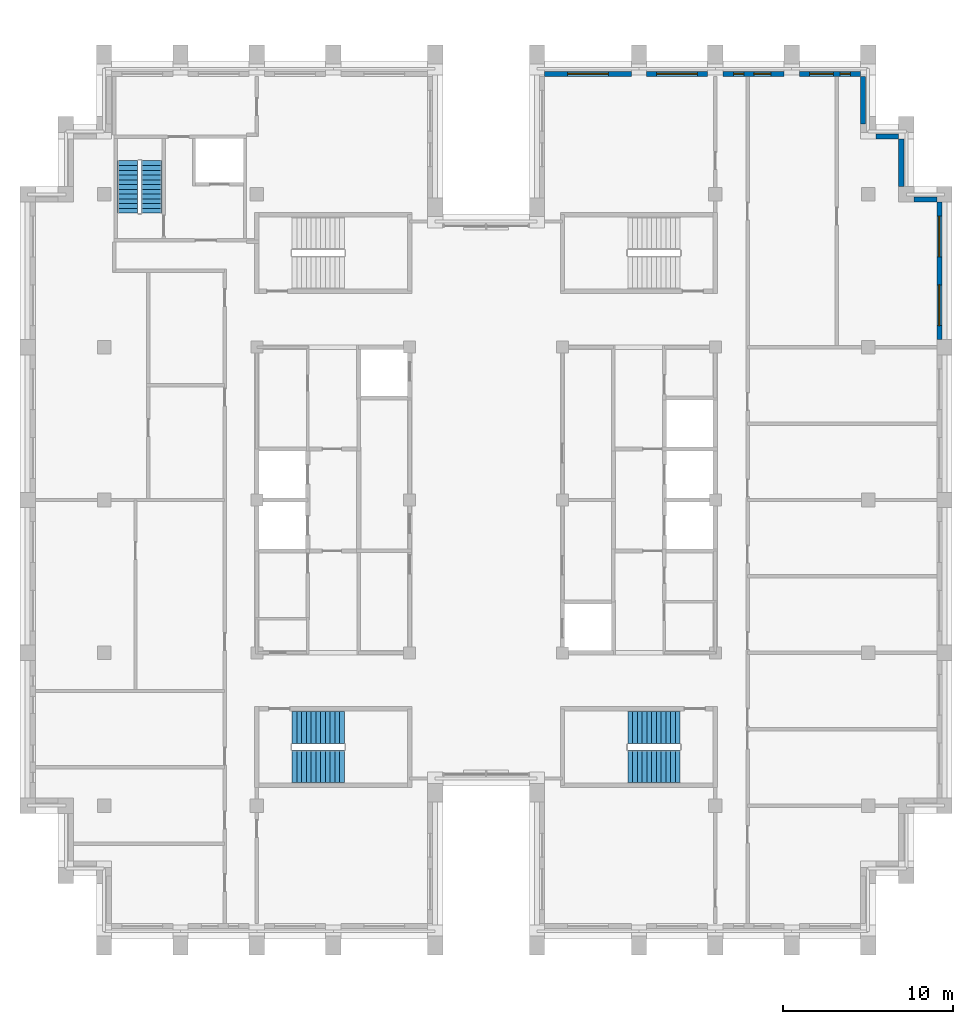
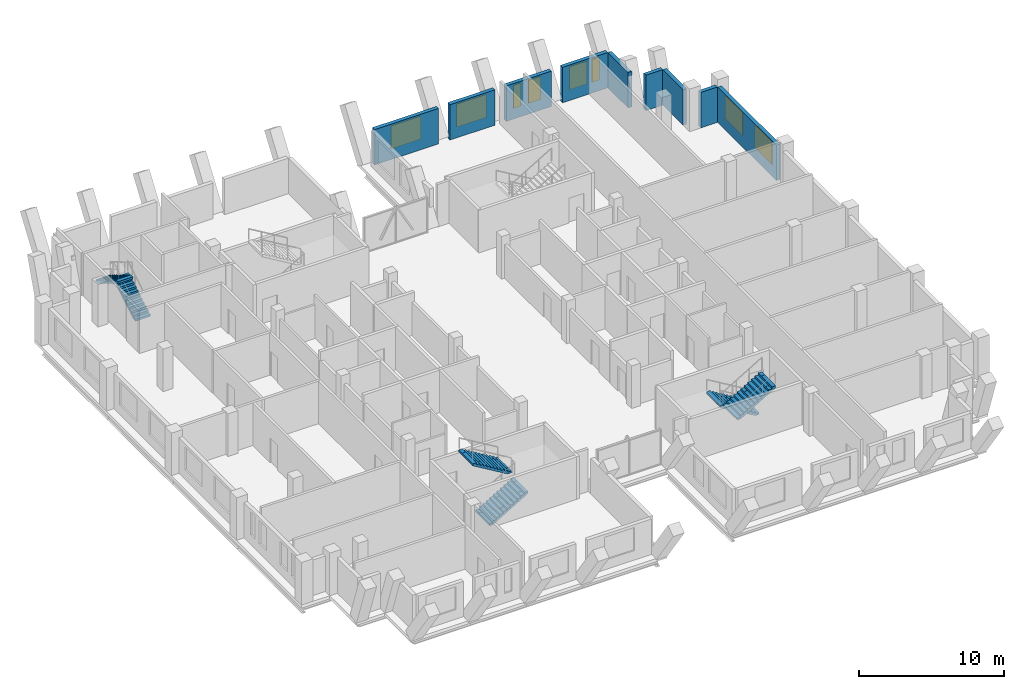
# One storey, part 11 of 13: 9 walls, 8 windows, 6 stair flights, 8 openings, 3 elements without a shape of their own.
"""IFC4 building model written with IfcOpenShell, lengths in metres."""

from ifc_helpers import new_model, si_unit, direction, frame, frame_2d, origin, place, context, subcontext, project, spatial, polyline, rectangle, outline, extrude, material, layer, layer_set, type_object, element, fill, aggregate, save


model = new_model("IFC4")

# Units and contexts
model_context = context("Model", 3, precision=1e-05, world=origin(), true_north=direction((0.0, 1.0)))
body_context = subcontext(model_context, "Body", "Model", "MODEL_VIEW")
ifc_project = project(units=[si_unit("LENGTHUNIT", "METRE"), si_unit("AREAUNIT", "SQUARE_METRE"), si_unit("VOLUMEUNIT", "CUBIC_METRE"), si_unit("PLANEANGLEUNIT", "RADIAN"), si_unit("MASSUNIT", "GRAM", prefix="KILO")], contexts=[model_context])

# Site, building, storey
site_placement = place(None, origin())
site = spatial("IfcSite", under=ifc_project, at=site_placement, CompositionType="ELEMENT")
building_placement = place(site_placement, origin())
building = spatial("IfcBuilding", under=site, at=building_placement, Name="Corbelhall Arena Tower", CompositionType="ELEMENT")
storey_placement = place(building_placement, frame((0.0, 0.0, 346.0)))
storey = spatial("IfcBuildingStorey", under=building, at=storey_placement, Name="L76", CompositionType="ELEMENT", Elevation=346.0)

# Wall, openings, windows
ifc_material_1 = material(Name="Precast concrete C40/50 with granite facing", Category="masonry")
ifc_layer = layer(ifc_material_1, 0.300048828125)
ifc_layer_set = layer_set([ifc_layer], Name="EV-IW1 Infill panel 300")
wall_type = type_object("IfcWallType", Name="EV-IW1 Infill panel 300", PredefinedType="SOLIDWALL", material=ifc_layer_set)
wall_1_placement = place(storey_placement, frame((26.699951171875, 9.449951171875, 0.0), z_axis=(0.0, 0.0, 1.0), x_axis=(0.0, 1.0, 0.0)))
wall_1 = element("IfcWall", 1, at=wall_1_placement, inside=storey, type_object=wall_type, Name="Infill panel IW1", PredefinedType="SOLIDWALL", context=body_context, shape_type="SweptSolid", body=[
    extrude(rectangle(XDim=8.10009765625, YDim=0.300048828125, at=frame_2d((4.050048828125, 0.0))), origin(), (0.0, 0.0, 1.0), 2.989990234375),
])
opening_1_placement = place(wall_1_placement, frame((0.824951171875, 0.0, 0.800048828125)))
opening_1 = element("IfcOpeningElement", 2, at=opening_1_placement, cuts=wall_1, Name="Opening WN1", PredefinedType="OPENING", context=body_context, shape_type="SweptSolid", body=[
    extrude(rectangle(XDim=2.39990234375, YDim=1.949951171875, at=frame_2d((1.199951171875, 0.97509765625))), frame((0.0, 0.14990234375, 0.0), z_axis=(0.0, -1.0, 0.0), x_axis=(1.0, 0.0, 0.0)), (0.0, 0.0, 1.0), 0.300048828125),
])
opening_2_placement = place(wall_1_placement, frame((4.875, 0.0, 0.800048828125)))
opening_2 = element("IfcOpeningElement", 3, at=opening_2_placement, cuts=wall_1, Name="Opening WN1", PredefinedType="OPENING", context=body_context, shape_type="SweptSolid", body=[
    extrude(rectangle(XDim=2.39990234375, YDim=1.949951171875, at=frame_2d((1.199951171875, 0.97509765625))), frame((0.0, 0.14990234375, 0.0), z_axis=(0.0, -1.0, 0.0), x_axis=(1.0, 0.0, 0.0)), (0.0, 0.0, 1.0), 0.300048828125),
])
ifc_material_2 = material(Name="Aluminium black anodised", Category="aluminium")
window_type_1 = type_object("IfcWindowType", Name="EV-WN1 Office window", PartitioningType="SINGLE_PANEL", PredefinedType="WINDOW", material=ifc_material_2)
window_1_placement = place(opening_1_placement, origin())
window_1 = element("IfcWindow", 4, at=window_1_placement, inside=storey, type_object=window_type_1, Name="Window WN1", OverallHeight=1.949951171875, OverallWidth=2.39990234375, PartitioningType="SINGLE_PANEL", PredefinedType="WINDOW", context=body_context, shape_type="SweptSolid", body=[
    extrude(rectangle(XDim=2.39990234375, YDim=1.949951171875, at=frame_2d((1.199951171875, 0.97509765625))), frame((0.0, 0.030029296875, 0.0), z_axis=(0.0, -1.0, 0.0), x_axis=(1.0, 0.0, 0.0)), (0.0, 0.0, 1.0), 0.06005859375),
])
fill(opening_1, window_1)
window_2_placement = place(opening_2_placement, origin())
window_2 = element("IfcWindow", 5, at=window_2_placement, inside=storey, type_object=window_type_1, Name="Window WN1", OverallHeight=1.949951171875, OverallWidth=2.39990234375, PartitioningType="SINGLE_PANEL", PredefinedType="WINDOW", context=body_context, shape_type="SweptSolid", body=[
    extrude(rectangle(XDim=2.39990234375, YDim=1.949951171875, at=frame_2d((1.199951171875, 0.97509765625))), frame((0.0, 0.030029296875, 0.0), z_axis=(0.0, -1.0, 0.0), x_axis=(1.0, 0.0, 0.0)), (0.0, 0.0, 1.0), 0.06005859375),
])
fill(opening_2, window_2)

# Walls
wall_2_placement = place(storey_placement, frame((26.550048828125, 17.699951171875, 0.0), z_axis=(0.0, 0.0, 1.0), x_axis=(-1.0, 0.0, 0.0)))
element("IfcWall", 6, at=wall_2_placement, inside=storey, type_object=wall_type, Name="Infill panel IW1", PredefinedType="SOLIDWALL", context=body_context, shape_type="SweptSolid", body=[
    extrude(rectangle(XDim=1.35009765625, YDim=0.300048828125, at=frame_2d((0.675048828125, 0.0))), origin(), (0.0, 0.0, 1.0), 2.989990234375),
])
wall_3_placement = place(storey_placement, frame((24.449951171875, 18.449951171875, 0.0), z_axis=(0.0, 0.0, 1.0), x_axis=(0.0, 1.0, 0.0)))
element("IfcWall", 7, at=wall_3_placement, inside=storey, type_object=wall_type, Name="Infill panel IW1", PredefinedType="SOLIDWALL", context=body_context, shape_type="SweptSolid", body=[
    extrude(rectangle(XDim=2.800048828125, YDim=0.300048828125, at=frame_2d((1.39990234375, 0.0))), origin(), (0.0, 0.0, 1.0), 2.989990234375),
])
wall_4_placement = place(storey_placement, frame((24.300048828125, 21.39990234375, 0.0), z_axis=(0.0, 0.0, 1.0), x_axis=(-1.0, 0.0, 0.0)))
element("IfcWall", 8, at=wall_4_placement, inside=storey, type_object=wall_type, Name="Infill panel IW1", PredefinedType="SOLIDWALL", context=body_context, shape_type="SweptSolid", body=[
    extrude(rectangle(XDim=1.35009765625, YDim=0.300048828125, at=frame_2d((0.675048828125, 0.0))), origin(), (0.0, 0.0, 1.0), 2.989990234375),
])
wall_5_placement = place(storey_placement, frame((22.199951171875, 22.14990234375, 0.0), z_axis=(0.0, 0.0, 1.0), x_axis=(0.0, 1.0, 0.0)))
element("IfcWall", 9, at=wall_5_placement, inside=storey, type_object=wall_type, Name="Infill panel IW1", PredefinedType="SOLIDWALL", context=body_context, shape_type="SweptSolid", body=[
    extrude(rectangle(XDim=2.800048828125, YDim=0.300048828125, at=frame_2d((1.39990234375, 0.0))), origin(), (0.0, 0.0, 1.0), 2.989990234375),
])

# Wall, openings, windows
wall_6_placement = place(storey_placement, frame((22.050048828125, 25.10009765625, 0.0), z_axis=(0.0, 0.0, 1.0), x_axis=(-1.0, 0.0, 0.0)))
wall_6 = element("IfcWall", 10, at=wall_6_placement, inside=storey, type_object=wall_type, Name="Infill panel IW1", PredefinedType="SOLIDWALL", context=body_context, shape_type="SweptSolid", body=[
    extrude(rectangle(XDim=3.60009765625, YDim=0.300048828125, at=frame_2d((1.800048828125, 0.0))), origin(), (0.0, 0.0, 1.0), 2.989990234375),
])
opening_3_placement = place(wall_6_placement, frame((0.60009765625, 0.0, 0.800048828125)))
opening_3 = element("IfcOpeningElement", 11, at=opening_3_placement, cuts=wall_6, Name="Opening WN5", PredefinedType="OPENING", context=body_context, shape_type="SweptSolid", body=[
    extrude(rectangle(XDim=0.60009765625, YDim=1.949951171875, at=frame_2d((0.300048828125, 0.97509765625))), frame((0.0, 0.14990234375, 0.0), z_axis=(0.0, -1.0, 0.0), x_axis=(1.0, 0.0, 0.0)), (0.0, 0.0, 1.0), 0.300048828125),
])
opening_4_placement = place(wall_6_placement, frame((1.60009765625, 0.0, 0.800048828125)))
opening_4 = element("IfcOpeningElement", 12, at=opening_4_placement, cuts=wall_6, Name="Opening WN7", PredefinedType="OPENING", context=body_context, shape_type="SweptSolid", body=[
    extrude(rectangle(XDim=1.39990234375, YDim=1.949951171875, at=frame_2d((0.699951171875, 0.97509765625))), frame((0.0, 0.14990234375, 0.0), z_axis=(0.0, -1.0, 0.0), x_axis=(1.0, 0.0, 0.0)), (0.0, 0.0, 1.0), 0.300048828125),
])
window_type_2 = type_object("IfcWindowType", Name="EV-WN5 Office window 600", PartitioningType="SINGLE_PANEL", PredefinedType="WINDOW", material=ifc_material_2)
window_3_placement = place(opening_3_placement, origin())
window_3 = element("IfcWindow", 13, at=window_3_placement, inside=storey, type_object=window_type_2, Name="Window WN5", OverallHeight=1.949951171875, OverallWidth=0.60009765625, PartitioningType="SINGLE_PANEL", PredefinedType="WINDOW", context=body_context, shape_type="SweptSolid", body=[
    extrude(rectangle(XDim=0.60009765625, YDim=1.949951171875, at=frame_2d((0.300048828125, 0.97509765625))), frame((0.0, 0.030029296875, 0.0), z_axis=(0.0, -1.0, 0.0), x_axis=(1.0, 0.0, 0.0)), (0.0, 0.0, 1.0), 0.06005859375),
])
fill(opening_3, window_3)
window_type_3 = type_object("IfcWindowType", Name="EV-WN7 Office window 1400", PartitioningType="SINGLE_PANEL", PredefinedType="WINDOW", material=ifc_material_2)
window_4_placement = place(opening_4_placement, origin())
window_4 = element("IfcWindow", 14, at=window_4_placement, inside=storey, type_object=window_type_3, Name="Window WN7", OverallHeight=1.949951171875, OverallWidth=1.39990234375, PartitioningType="SINGLE_PANEL", PredefinedType="WINDOW", context=body_context, shape_type="SweptSolid", body=[
    extrude(rectangle(XDim=1.39990234375, YDim=1.949951171875, at=frame_2d((0.699951171875, 0.97509765625))), frame((0.0, 0.030029296875, 0.0), z_axis=(0.0, -1.0, 0.0), x_axis=(1.0, 0.0, 0.0)), (0.0, 0.0, 1.0), 0.06005859375),
])
fill(opening_4, window_4)

wall_7_placement = place(storey_placement, frame((17.550048828125, 25.10009765625, 0.0), z_axis=(0.0, 0.0, 1.0), x_axis=(-1.0, 0.0, 0.0)))
wall_7 = element("IfcWall", 15, at=wall_7_placement, inside=storey, type_object=wall_type, Name="Infill panel IW1", PredefinedType="SOLIDWALL", context=body_context, shape_type="SweptSolid", body=[
    extrude(rectangle(XDim=3.60009765625, YDim=0.300048828125, at=frame_2d((1.800048828125, 0.0))), origin(), (0.0, 0.0, 1.0), 2.989990234375),
])
opening_5_placement = place(wall_7_placement, frame((0.77490234375, 0.0, 0.800048828125)))
opening_5 = element("IfcOpeningElement", 16, at=opening_5_placement, cuts=wall_7, Name="Opening WN6", PredefinedType="OPENING", context=body_context, shape_type="SweptSolid", body=[
    extrude(rectangle(XDim=1.0, YDim=1.949951171875, at=frame_2d((0.5, 0.97509765625))), frame((0.0, 0.14990234375, 0.0), z_axis=(0.0, -1.0, 0.0), x_axis=(1.0, 0.0, 0.0)), (0.0, 0.0, 1.0), 0.300048828125),
])
opening_6_placement = place(wall_7_placement, frame((2.375, 0.0, 0.800048828125)))
opening_6 = element("IfcOpeningElement", 17, at=opening_6_placement, cuts=wall_7, Name="Opening WN5", PredefinedType="OPENING", context=body_context, shape_type="SweptSolid", body=[
    extrude(rectangle(XDim=0.60009765625, YDim=1.949951171875, at=frame_2d((0.300048828125, 0.97509765625))), frame((0.0, 0.14990234375, 0.0), z_axis=(0.0, -1.0, 0.0), x_axis=(1.0, 0.0, 0.0)), (0.0, 0.0, 1.0), 0.300048828125),
])
window_5_placement = place(opening_6_placement, origin())
window_5 = element("IfcWindow", 18, at=window_5_placement, inside=storey, type_object=window_type_2, Name="Window WN5", OverallHeight=1.949951171875, OverallWidth=0.60009765625, PartitioningType="SINGLE_PANEL", PredefinedType="WINDOW", context=body_context, shape_type="SweptSolid", body=[
    extrude(rectangle(XDim=0.60009765625, YDim=1.949951171875, at=frame_2d((0.300048828125, 0.97509765625))), frame((0.0, 0.030029296875, 0.0), z_axis=(0.0, -1.0, 0.0), x_axis=(1.0, 0.0, 0.0)), (0.0, 0.0, 1.0), 0.06005859375),
])
fill(opening_6, window_5)
window_type_4 = type_object("IfcWindowType", Name="EV-WN6 Office window 1000", PartitioningType="SINGLE_PANEL", PredefinedType="WINDOW", material=ifc_material_2)
window_6_placement = place(opening_5_placement, origin())
window_6 = element("IfcWindow", 19, at=window_6_placement, inside=storey, type_object=window_type_4, Name="Window WN6", OverallHeight=1.949951171875, OverallWidth=1.0, PartitioningType="SINGLE_PANEL", PredefinedType="WINDOW", context=body_context, shape_type="SweptSolid", body=[
    extrude(rectangle(XDim=1.0, YDim=1.949951171875, at=frame_2d((0.5, 0.97509765625))), frame((0.0, 0.030029296875, 0.0), z_axis=(0.0, -1.0, 0.0), x_axis=(1.0, 0.0, 0.0)), (0.0, 0.0, 1.0), 0.06005859375),
])
fill(opening_5, window_6)

# Wall, opening, window
wall_8_placement = place(storey_placement, frame((13.050048828125, 25.10009765625, 0.0), z_axis=(0.0, 0.0, 1.0), x_axis=(-1.0, 0.0, 0.0)))
wall_8 = element("IfcWall", 20, at=wall_8_placement, inside=storey, type_object=wall_type, Name="Infill panel IW1", PredefinedType="SOLIDWALL", context=body_context, shape_type="SweptSolid", body=[
    extrude(rectangle(XDim=3.60009765625, YDim=0.300048828125, at=frame_2d((1.800048828125, 0.0))), origin(), (0.0, 0.0, 1.0), 2.989990234375),
])
opening_7_placement = place(wall_8_placement, frame((0.60009765625, 0.0, 0.800048828125)))
opening_7 = element("IfcOpeningElement", 21, at=opening_7_placement, cuts=wall_8, Name="Opening WN1", PredefinedType="OPENING", context=body_context, shape_type="SweptSolid", body=[
    extrude(rectangle(XDim=2.39990234375, YDim=1.949951171875, at=frame_2d((1.199951171875, 0.97509765625))), frame((0.0, 0.14990234375, 0.0), z_axis=(0.0, -1.0, 0.0), x_axis=(1.0, 0.0, 0.0)), (0.0, 0.0, 1.0), 0.300048828125),
])
window_7_placement = place(opening_7_placement, origin())
window_7 = element("IfcWindow", 22, at=window_7_placement, inside=storey, type_object=window_type_1, Name="Window WN1", OverallHeight=1.949951171875, OverallWidth=2.39990234375, PartitioningType="SINGLE_PANEL", PredefinedType="WINDOW", context=body_context, shape_type="SweptSolid", body=[
    extrude(rectangle(XDim=2.39990234375, YDim=1.949951171875, at=frame_2d((1.199951171875, 0.97509765625))), frame((0.0, 0.030029296875, 0.0), z_axis=(0.0, -1.0, 0.0), x_axis=(1.0, 0.0, 0.0)), (0.0, 0.0, 1.0), 0.06005859375),
])
fill(opening_7, window_7)

wall_9_placement = place(storey_placement, frame((8.550048828125, 25.10009765625, 0.0), z_axis=(0.0, 0.0, 1.0), x_axis=(-1.0, 0.0, 0.0)))
wall_9 = element("IfcWall", 23, at=wall_9_placement, inside=storey, type_object=wall_type, Name="Infill panel IW1", PredefinedType="SOLIDWALL", context=body_context, shape_type="SweptSolid", body=[
    extrude(rectangle(XDim=5.10009765625, YDim=0.300048828125, at=frame_2d((2.550048828125, 0.0))), origin(), (0.0, 0.0, 1.0), 2.989990234375),
])
opening_8_placement = place(wall_9_placement, frame((1.35009765625, 0.0, 0.800048828125)))
opening_8 = element("IfcOpeningElement", 24, at=opening_8_placement, cuts=wall_9, Name="Opening WN1", PredefinedType="OPENING", context=body_context, shape_type="SweptSolid", body=[
    extrude(rectangle(XDim=2.39990234375, YDim=1.949951171875, at=frame_2d((1.199951171875, 0.97509765625))), frame((0.0, 0.14990234375, 0.0), z_axis=(0.0, -1.0, 0.0), x_axis=(1.0, 0.0, 0.0)), (0.0, 0.0, 1.0), 0.300048828125),
])
window_8_placement = place(opening_8_placement, origin())
window_8 = element("IfcWindow", 25, at=window_8_placement, inside=storey, type_object=window_type_1, Name="Window WN1", OverallHeight=1.949951171875, OverallWidth=2.39990234375, PartitioningType="SINGLE_PANEL", PredefinedType="WINDOW", context=body_context, shape_type="SweptSolid", body=[
    extrude(rectangle(XDim=2.39990234375, YDim=1.949951171875, at=frame_2d((1.199951171875, 0.97509765625))), frame((0.0, 0.030029296875, 0.0), z_axis=(0.0, -1.0, 0.0), x_axis=(1.0, 0.0, 0.0)), (0.0, 0.0, 1.0), 0.06005859375),
])
fill(opening_8, window_8)

# Stair, stair flights
ifc_material_3 = material(Name="Concrete C40/50", Category="concrete")
stair_type = type_object("IfcStairType", Name="IN-ST-TOWER", PredefinedType="HALF_TURN_STAIR", material=ifc_material_3)
stair_1_placement = place(storey_placement, origin())
stair_1 = element("IfcStair", 26, at=stair_1_placement, inside=storey, type_object=stair_type, Name="L76 Exit stair ST2", PredefinedType="HALF_TURN_STAIR")
stair_flight_type = type_object("IfcStairFlightType", Name="IN-SFL-RC", PredefinedType="STRAIGHT", material=ifc_material_3)
stair_flight_1_placement = place(storey_placement, frame((-11.425048828125, -15.699951171875, 0.0), z_axis=(0.0, 0.0, 1.0), x_axis=(1.0, 0.0, 0.0)))
stair_flight_1 = element("IfcStairFlight", 27, at=stair_flight_1_placement, type_object=stair_flight_type, Name="ST2 flight 1", NumberOfRisers=12, NumberOfTreads=11, PredefinedType="STRAIGHT", RiserHeight=0.166666667, TreadLength=0.28, context=body_context, shape_type="SweptSolid", body=[
    extrude(outline(polyline([(0.0, 0.0), (0.0, 0.166748046875), (0.280029296875, 0.166748046875), (0.280029296875, 0.333251953125), (0.56005859375, 0.333251953125), (0.56005859375, 0.5), (0.840087890625, 0.5), (0.840087890625, 0.666748046875), (1.1201171875, 0.666748046875), (1.1201171875, 0.833251953125), (1.39990234375, 0.833251953125), (1.39990234375, 1.0), (1.679931640625, 1.0), (1.679931640625, 1.166748046875), (1.9599609375, 1.166748046875), (1.9599609375, 1.333251953125), (2.239990234375, 1.333251953125), (2.239990234375, 1.5), (2.52001953125, 1.5), (2.52001953125, 1.666748046875), (2.800048828125, 1.666748046875), (2.800048828125, 1.833251953125), (3.080078125, 1.833251953125), (3.080078125, 2.0), (3.080078125, 1.658935546875), (0.29296875, 0.0), (0.0, 0.0)])), frame((0.0, 0.97509765625, 0.0), z_axis=(0.0, -1.0, 0.0), x_axis=(1.0, 0.0, 0.0)), (0.0, 0.0, 1.0), 0.449951171875),
    extrude(outline(polyline([(0.0, 0.0), (0.0, 0.166748046875), (0.280029296875, 0.166748046875), (0.280029296875, 0.333251953125), (0.56005859375, 0.333251953125), (0.56005859375, 0.5), (0.840087890625, 0.5), (0.840087890625, 0.666748046875), (1.1201171875, 0.666748046875), (1.1201171875, 0.833251953125), (1.39990234375, 0.833251953125), (1.39990234375, 1.0), (1.679931640625, 1.0), (1.679931640625, 1.166748046875), (1.9599609375, 1.166748046875), (1.9599609375, 1.333251953125), (2.239990234375, 1.333251953125), (2.239990234375, 1.5), (2.52001953125, 1.5), (2.52001953125, 1.666748046875), (2.800048828125, 1.666748046875), (2.800048828125, 1.833251953125), (3.080078125, 1.833251953125), (3.080078125, 2.0), (3.080078125, 1.658935546875), (0.29296875, 0.0), (0.0, 0.0)])), frame((0.0, 0.52099609375, 0.0), z_axis=(0.0, -1.0, 0.0), x_axis=(1.0, 0.0, 0.0)), (0.0, 0.0, 1.0), 1.0419921875),
    extrude(outline(polyline([(0.0, 0.0), (0.0, 0.166748046875), (0.280029296875, 0.166748046875), (0.280029296875, 0.333251953125), (0.56005859375, 0.333251953125), (0.56005859375, 0.5), (0.840087890625, 0.5), (0.840087890625, 0.666748046875), (1.1201171875, 0.666748046875), (1.1201171875, 0.833251953125), (1.39990234375, 0.833251953125), (1.39990234375, 1.0), (1.679931640625, 1.0), (1.679931640625, 1.166748046875), (1.9599609375, 1.166748046875), (1.9599609375, 1.333251953125), (2.239990234375, 1.333251953125), (2.239990234375, 1.5), (2.52001953125, 1.5), (2.52001953125, 1.666748046875), (2.800048828125, 1.666748046875), (2.800048828125, 1.833251953125), (3.080078125, 1.833251953125), (3.080078125, 2.0), (3.080078125, 1.658935546875), (0.29296875, 0.0), (0.0, 0.0)])), frame((0.0, -0.52490234375, 0.0), z_axis=(0.0, -1.0, 0.0), x_axis=(1.0, 0.0, 0.0)), (0.0, 0.0, 1.0), 0.449951171875),
])
stair_flight_2_placement = place(storey_placement, frame((-8.344970703125, -13.39990234375, 2.0), z_axis=(0.0, 0.0, 1.0), x_axis=(-1.0, 0.0, 0.0)))
stair_flight_2 = element("IfcStairFlight", 28, at=stair_flight_2_placement, type_object=stair_flight_type, Name="ST2 flight 2", NumberOfRisers=12, NumberOfTreads=11, PredefinedType="STRAIGHT", RiserHeight=0.166666667, TreadLength=0.28, context=body_context, shape_type="SweptSolid", body=[
    extrude(outline(polyline([(0.0, 0.0), (0.0, 0.166748046875), (0.280029296875, 0.166748046875), (0.280029296875, 0.333251953125), (0.56005859375, 0.333251953125), (0.56005859375, 0.5), (0.840087890625, 0.5), (0.840087890625, 0.666748046875), (1.1201171875, 0.666748046875), (1.1201171875, 0.833251953125), (1.39990234375, 0.833251953125), (1.39990234375, 1.0), (1.679931640625, 1.0), (1.679931640625, 1.166748046875), (1.9599609375, 1.166748046875), (1.9599609375, 1.333251953125), (2.239990234375, 1.333251953125), (2.239990234375, 1.5), (2.52001953125, 1.5), (2.52001953125, 1.666748046875), (2.800048828125, 1.666748046875), (2.800048828125, 1.833251953125), (3.080078125, 1.833251953125), (3.080078125, 2.0), (3.080078125, 1.658935546875), (0.29296875, 0.0), (0.0, 0.0)])), frame((0.0, 0.97509765625, 0.0), z_axis=(0.0, -1.0, 0.0), x_axis=(1.0, 0.0, 0.0)), (0.0, 0.0, 1.0), 0.449951171875),
    extrude(outline(polyline([(0.0, 0.0), (0.0, 0.166748046875), (0.280029296875, 0.166748046875), (0.280029296875, 0.333251953125), (0.56005859375, 0.333251953125), (0.56005859375, 0.5), (0.840087890625, 0.5), (0.840087890625, 0.666748046875), (1.1201171875, 0.666748046875), (1.1201171875, 0.833251953125), (1.39990234375, 0.833251953125), (1.39990234375, 1.0), (1.679931640625, 1.0), (1.679931640625, 1.166748046875), (1.9599609375, 1.166748046875), (1.9599609375, 1.333251953125), (2.239990234375, 1.333251953125), (2.239990234375, 1.5), (2.52001953125, 1.5), (2.52001953125, 1.666748046875), (2.800048828125, 1.666748046875), (2.800048828125, 1.833251953125), (3.080078125, 1.833251953125), (3.080078125, 2.0), (3.080078125, 1.658935546875), (0.29296875, 0.0), (0.0, 0.0)])), frame((0.0, 0.52099609375, 0.0), z_axis=(0.0, -1.0, 0.0), x_axis=(1.0, 0.0, 0.0)), (0.0, 0.0, 1.0), 1.0419921875),
    extrude(outline(polyline([(0.0, 0.0), (0.0, 0.166748046875), (0.280029296875, 0.166748046875), (0.280029296875, 0.333251953125), (0.56005859375, 0.333251953125), (0.56005859375, 0.5), (0.840087890625, 0.5), (0.840087890625, 0.666748046875), (1.1201171875, 0.666748046875), (1.1201171875, 0.833251953125), (1.39990234375, 0.833251953125), (1.39990234375, 1.0), (1.679931640625, 1.0), (1.679931640625, 1.166748046875), (1.9599609375, 1.166748046875), (1.9599609375, 1.333251953125), (2.239990234375, 1.333251953125), (2.239990234375, 1.5), (2.52001953125, 1.5), (2.52001953125, 1.666748046875), (2.800048828125, 1.666748046875), (2.800048828125, 1.833251953125), (3.080078125, 1.833251953125), (3.080078125, 2.0), (3.080078125, 1.658935546875), (0.29296875, 0.0), (0.0, 0.0)])), frame((0.0, -0.52490234375, 0.0), z_axis=(0.0, -1.0, 0.0), x_axis=(1.0, 0.0, 0.0)), (0.0, 0.0, 1.0), 0.449951171875),
])
aggregate(stair_1, [stair_flight_1, stair_flight_2])

stair_2_placement = place(storey_placement, origin())
stair_2 = element("IfcStair", 29, at=stair_2_placement, inside=storey, type_object=stair_type, Name="L76 Exit stair ST4", PredefinedType="HALF_TURN_STAIR")
stair_flight_3_placement = place(storey_placement, frame((11.425048828125, -13.39990234375, 0.0), z_axis=(0.0, 0.0, 1.0), x_axis=(-1.0, 0.0, 0.0)))
stair_flight_3 = element("IfcStairFlight", 30, at=stair_flight_3_placement, type_object=stair_flight_type, Name="ST4 flight 1", NumberOfRisers=12, NumberOfTreads=11, PredefinedType="STRAIGHT", RiserHeight=0.166666667, TreadLength=0.28, context=body_context, shape_type="SweptSolid", body=[
    extrude(outline(polyline([(0.0, 0.0), (0.0, 0.166748046875), (0.280029296875, 0.166748046875), (0.280029296875, 0.333251953125), (0.56005859375, 0.333251953125), (0.56005859375, 0.5), (0.840087890625, 0.5), (0.840087890625, 0.666748046875), (1.1201171875, 0.666748046875), (1.1201171875, 0.833251953125), (1.39990234375, 0.833251953125), (1.39990234375, 1.0), (1.679931640625, 1.0), (1.679931640625, 1.166748046875), (1.9599609375, 1.166748046875), (1.9599609375, 1.333251953125), (2.239990234375, 1.333251953125), (2.239990234375, 1.5), (2.52001953125, 1.5), (2.52001953125, 1.666748046875), (2.800048828125, 1.666748046875), (2.800048828125, 1.833251953125), (3.080078125, 1.833251953125), (3.080078125, 2.0), (3.080078125, 1.658935546875), (0.29296875, 0.0), (0.0, 0.0)])), frame((0.0, 0.97509765625, 0.0), z_axis=(0.0, -1.0, 0.0), x_axis=(1.0, 0.0, 0.0)), (0.0, 0.0, 1.0), 0.449951171875),
    extrude(outline(polyline([(0.0, 0.0), (0.0, 0.166748046875), (0.280029296875, 0.166748046875), (0.280029296875, 0.333251953125), (0.56005859375, 0.333251953125), (0.56005859375, 0.5), (0.840087890625, 0.5), (0.840087890625, 0.666748046875), (1.1201171875, 0.666748046875), (1.1201171875, 0.833251953125), (1.39990234375, 0.833251953125), (1.39990234375, 1.0), (1.679931640625, 1.0), (1.679931640625, 1.166748046875), (1.9599609375, 1.166748046875), (1.9599609375, 1.333251953125), (2.239990234375, 1.333251953125), (2.239990234375, 1.5), (2.52001953125, 1.5), (2.52001953125, 1.666748046875), (2.800048828125, 1.666748046875), (2.800048828125, 1.833251953125), (3.080078125, 1.833251953125), (3.080078125, 2.0), (3.080078125, 1.658935546875), (0.29296875, 0.0), (0.0, 0.0)])), frame((0.0, 0.52099609375, 0.0), z_axis=(0.0, -1.0, 0.0), x_axis=(1.0, 0.0, 0.0)), (0.0, 0.0, 1.0), 1.0419921875),
    extrude(outline(polyline([(0.0, 0.0), (0.0, 0.166748046875), (0.280029296875, 0.166748046875), (0.280029296875, 0.333251953125), (0.56005859375, 0.333251953125), (0.56005859375, 0.5), (0.840087890625, 0.5), (0.840087890625, 0.666748046875), (1.1201171875, 0.666748046875), (1.1201171875, 0.833251953125), (1.39990234375, 0.833251953125), (1.39990234375, 1.0), (1.679931640625, 1.0), (1.679931640625, 1.166748046875), (1.9599609375, 1.166748046875), (1.9599609375, 1.333251953125), (2.239990234375, 1.333251953125), (2.239990234375, 1.5), (2.52001953125, 1.5), (2.52001953125, 1.666748046875), (2.800048828125, 1.666748046875), (2.800048828125, 1.833251953125), (3.080078125, 1.833251953125), (3.080078125, 2.0), (3.080078125, 1.658935546875), (0.29296875, 0.0), (0.0, 0.0)])), frame((0.0, -0.52490234375, 0.0), z_axis=(0.0, -1.0, 0.0), x_axis=(1.0, 0.0, 0.0)), (0.0, 0.0, 1.0), 0.449951171875),
])
stair_flight_4_placement = place(storey_placement, frame((8.344970703125, -15.699951171875, 2.0), z_axis=(0.0, 0.0, 1.0), x_axis=(1.0, 0.0, 0.0)))
stair_flight_4 = element("IfcStairFlight", 31, at=stair_flight_4_placement, type_object=stair_flight_type, Name="ST4 flight 2", NumberOfRisers=12, NumberOfTreads=11, PredefinedType="STRAIGHT", RiserHeight=0.166666667, TreadLength=0.28, context=body_context, shape_type="SweptSolid", body=[
    extrude(outline(polyline([(0.0, 0.0), (0.0, 0.166748046875), (0.280029296875, 0.166748046875), (0.280029296875, 0.333251953125), (0.56005859375, 0.333251953125), (0.56005859375, 0.5), (0.840087890625, 0.5), (0.840087890625, 0.666748046875), (1.1201171875, 0.666748046875), (1.1201171875, 0.833251953125), (1.39990234375, 0.833251953125), (1.39990234375, 1.0), (1.679931640625, 1.0), (1.679931640625, 1.166748046875), (1.9599609375, 1.166748046875), (1.9599609375, 1.333251953125), (2.239990234375, 1.333251953125), (2.239990234375, 1.5), (2.52001953125, 1.5), (2.52001953125, 1.666748046875), (2.800048828125, 1.666748046875), (2.800048828125, 1.833251953125), (3.080078125, 1.833251953125), (3.080078125, 2.0), (3.080078125, 1.658935546875), (0.29296875, 0.0), (0.0, 0.0)])), frame((0.0, 0.97509765625, 0.0), z_axis=(0.0, -1.0, 0.0), x_axis=(1.0, 0.0, 0.0)), (0.0, 0.0, 1.0), 0.449951171875),
    extrude(outline(polyline([(0.0, 0.0), (0.0, 0.166748046875), (0.280029296875, 0.166748046875), (0.280029296875, 0.333251953125), (0.56005859375, 0.333251953125), (0.56005859375, 0.5), (0.840087890625, 0.5), (0.840087890625, 0.666748046875), (1.1201171875, 0.666748046875), (1.1201171875, 0.833251953125), (1.39990234375, 0.833251953125), (1.39990234375, 1.0), (1.679931640625, 1.0), (1.679931640625, 1.166748046875), (1.9599609375, 1.166748046875), (1.9599609375, 1.333251953125), (2.239990234375, 1.333251953125), (2.239990234375, 1.5), (2.52001953125, 1.5), (2.52001953125, 1.666748046875), (2.800048828125, 1.666748046875), (2.800048828125, 1.833251953125), (3.080078125, 1.833251953125), (3.080078125, 2.0), (3.080078125, 1.658935546875), (0.29296875, 0.0), (0.0, 0.0)])), frame((0.0, 0.52099609375, 0.0), z_axis=(0.0, -1.0, 0.0), x_axis=(1.0, 0.0, 0.0)), (0.0, 0.0, 1.0), 1.0419921875),
    extrude(outline(polyline([(0.0, 0.0), (0.0, 0.166748046875), (0.280029296875, 0.166748046875), (0.280029296875, 0.333251953125), (0.56005859375, 0.333251953125), (0.56005859375, 0.5), (0.840087890625, 0.5), (0.840087890625, 0.666748046875), (1.1201171875, 0.666748046875), (1.1201171875, 0.833251953125), (1.39990234375, 0.833251953125), (1.39990234375, 1.0), (1.679931640625, 1.0), (1.679931640625, 1.166748046875), (1.9599609375, 1.166748046875), (1.9599609375, 1.333251953125), (2.239990234375, 1.333251953125), (2.239990234375, 1.5), (2.52001953125, 1.5), (2.52001953125, 1.666748046875), (2.800048828125, 1.666748046875), (2.800048828125, 1.833251953125), (3.080078125, 1.833251953125), (3.080078125, 2.0), (3.080078125, 1.658935546875), (0.29296875, 0.0), (0.0, 0.0)])), frame((0.0, -0.52490234375, 0.0), z_axis=(0.0, -1.0, 0.0), x_axis=(1.0, 0.0, 0.0)), (0.0, 0.0, 1.0), 0.449951171875),
])
aggregate(stair_2, [stair_flight_3, stair_flight_4])

stair_3_placement = place(storey_placement, origin())
stair_3 = element("IfcStair", 32, at=stair_3_placement, inside=storey, type_object=stair_type, Name="L76 Exit stair ST5", PredefinedType="HALF_TURN_STAIR")
stair_flight_5_placement = place(storey_placement, frame((-19.695068359375, 16.89990234375, 0.0), z_axis=(0.0, 0.0, 1.0), x_axis=(0.0, 1.0, 0.0)))
stair_flight_5 = element("IfcStairFlight", 33, at=stair_flight_5_placement, type_object=stair_flight_type, Name="ST5 flight 1", NumberOfRisers=12, NumberOfTreads=11, PredefinedType="STRAIGHT", RiserHeight=0.166666667, TreadLength=0.28, context=body_context, shape_type="SweptSolid", body=[
    extrude(outline(polyline([(0.0, 0.0), (0.0, 0.166748046875), (0.280029296875, 0.166748046875), (0.280029296875, 0.333251953125), (0.56005859375, 0.333251953125), (0.56005859375, 0.5), (0.840087890625, 0.5), (0.840087890625, 0.666748046875), (1.1201171875, 0.666748046875), (1.1201171875, 0.833251953125), (1.39990234375, 0.833251953125), (1.39990234375, 1.0), (1.679931640625, 1.0), (1.679931640625, 1.166748046875), (1.9599609375, 1.166748046875), (1.9599609375, 1.333251953125), (2.239990234375, 1.333251953125), (2.239990234375, 1.5), (2.52001953125, 1.5), (2.52001953125, 1.666748046875), (2.800048828125, 1.666748046875), (2.800048828125, 1.833251953125), (3.080078125, 1.833251953125), (3.080078125, 2.0), (3.080078125, 1.658935546875), (0.29296875, 0.0), (0.0, 0.0)])), frame((0.0, 0.60009765625, 0.0), z_axis=(0.0, -1.0, 0.0), x_axis=(1.0, 0.0, 0.0)), (0.0, 0.0, 1.0), 1.199951171875),
])
stair_flight_6_placement = place(storey_placement, frame((-21.094970703125, 19.97998046875, 2.0), z_axis=(0.0, 0.0, 1.0), x_axis=(0.0, -1.0, 0.0)))
stair_flight_6 = element("IfcStairFlight", 34, at=stair_flight_6_placement, type_object=stair_flight_type, Name="ST5 flight 2", NumberOfRisers=12, NumberOfTreads=11, PredefinedType="STRAIGHT", RiserHeight=0.166666667, TreadLength=0.28, context=body_context, shape_type="SweptSolid", body=[
    extrude(outline(polyline([(0.0, 0.0), (0.0, 0.166748046875), (0.280029296875, 0.166748046875), (0.280029296875, 0.333251953125), (0.56005859375, 0.333251953125), (0.56005859375, 0.5), (0.840087890625, 0.5), (0.840087890625, 0.666748046875), (1.1201171875, 0.666748046875), (1.1201171875, 0.833251953125), (1.39990234375, 0.833251953125), (1.39990234375, 1.0), (1.679931640625, 1.0), (1.679931640625, 1.166748046875), (1.9599609375, 1.166748046875), (1.9599609375, 1.333251953125), (2.239990234375, 1.333251953125), (2.239990234375, 1.5), (2.52001953125, 1.5), (2.52001953125, 1.666748046875), (2.800048828125, 1.666748046875), (2.800048828125, 1.833251953125), (3.080078125, 1.833251953125), (3.080078125, 2.0), (3.080078125, 1.658935546875), (0.29296875, 0.0), (0.0, 0.0)])), frame((0.0, 0.60009765625, 0.0), z_axis=(0.0, -1.0, 0.0), x_axis=(1.0, 0.0, 0.0)), (0.0, 0.0, 1.0), 1.199951171875),
])
aggregate(stair_3, [stair_flight_5, stair_flight_6])

save(model, "model.ifc")
